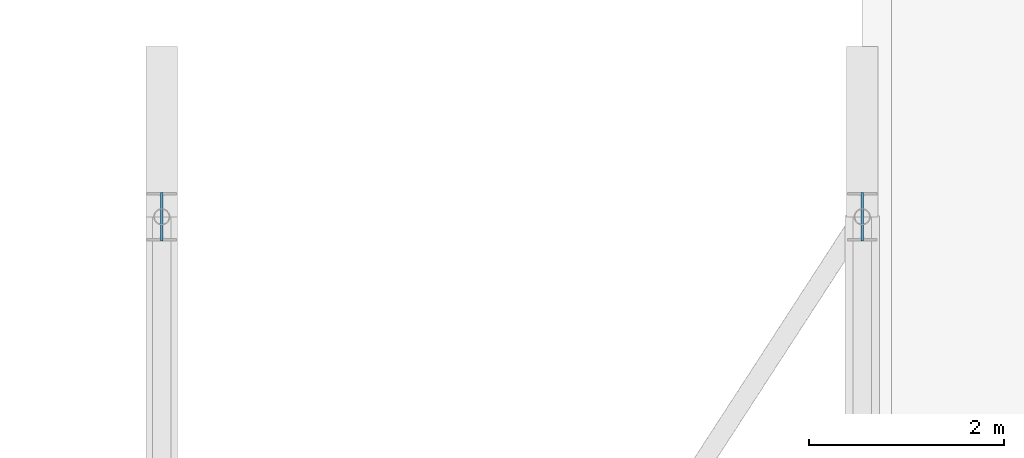
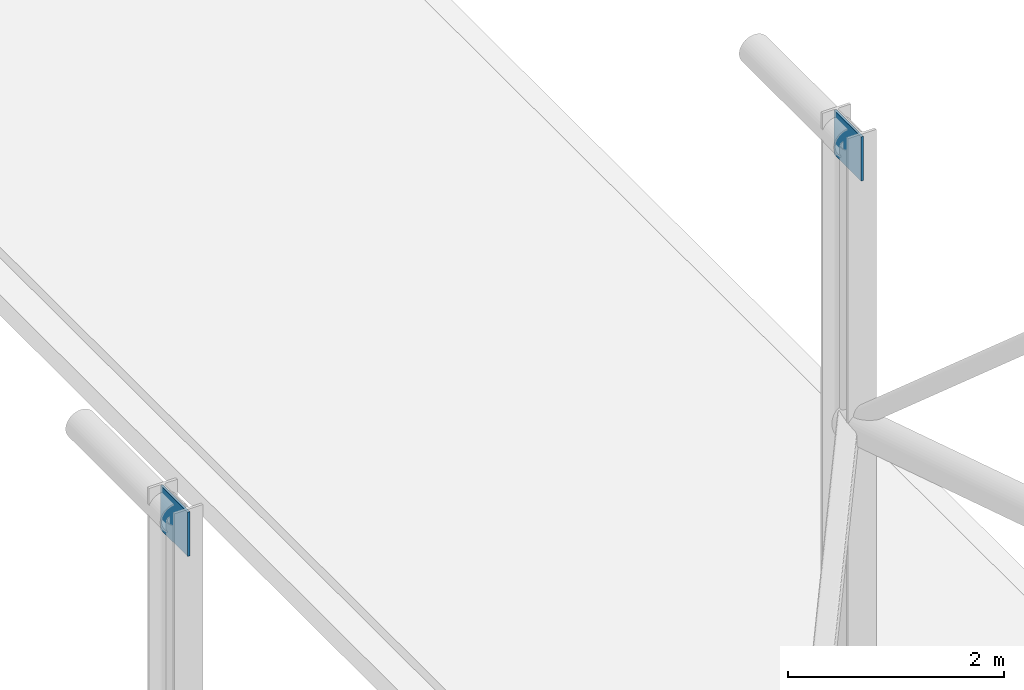
# One storey, part 136 of 153: 2 plates.
"""IFC4 building model written with IfcOpenShell, lengths in metres."""

from ifc_helpers import new_model, si_unit, derived_unit, direction, frame, origin, origin_2d, place, context, subcontext, project, spatial, rectangle, extrude, material, layer, layer_set, type_object, element, save


model = new_model("IFC4")

# Units and contexts
model_context = context("Model", 3, precision=1e-05, world=origin(), true_north=direction((0.0, 1.0)))
body_context = subcontext(model_context, "Body", "Model", "MODEL_VIEW")
ifc_project = project(units=[si_unit("LENGTHUNIT", "METRE"), si_unit("AREAUNIT", "SQUARE_METRE"), si_unit("VOLUMEUNIT", "CUBIC_METRE"), si_unit("PLANEANGLEUNIT", "RADIAN"), si_unit("MASSUNIT", "GRAM", prefix="KILO"), derived_unit("THERMALTRANSMITTANCEUNIT", [(si_unit("POWERUNIT", "WATT"), 1), (si_unit("LENGTHUNIT", "METRE"), -2), (si_unit("THERMODYNAMICTEMPERATUREUNIT", "KELVIN"), -1)])], contexts=[model_context])

# Site, building, storey
site_placement = place(None, origin())
site = spatial("IfcSite", under=ifc_project, at=site_placement, CompositionType="ELEMENT")
building_placement = place(site_placement, origin())
building = spatial("IfcBuilding", under=site, at=building_placement, Name="Keldorne Ridge Multi-Sports Centre", CompositionType="ELEMENT")
storey_placement = place(building_placement, frame((0.0, 0.0, 9.60009765625)))
storey = spatial("IfcBuildingStorey", under=building, at=storey_placement, Name="L02", CompositionType="ELEMENT", Elevation=9.60009765625)

# Plates
ifc_material = material(Name="Steel S355", Category="steel")
ifc_layer = layer(ifc_material, 0.02490234375)
ifc_layer_set = layer_set([ifc_layer], Name="Steel S355")
plate_type = type_object("IfcPlateType", Name="PLT-PL-GS1", PredefinedType="USERDEFINED", material=ifc_layer_set)
for number, where, z_axis, x_axis, name in (
    (1, (70.800048828125, 54.0, 9.25), (0.0, 0.0, 1.0), (1.0, 0.0, 0.0), "Truss node gusset plate TN-030"),
    (2, (78.0, 54.0, 10.969970703125), (0.0, 0.0, 1.0), (1.0, 0.0, 0.0), "Truss node gusset plate TN-033"),
):
    element("IfcPlate", number, at=place(storey_placement, frame(where, z_axis=z_axis, x_axis=x_axis)), inside=storey, type_object=plate_type, Name=name, ObjectType="GUSSET PLATE", PredefinedType="USERDEFINED", context=body_context, shape_type="SweptSolid", body=[
        extrude(rectangle(XDim=0.02490234375, YDim=0.5, at=origin_2d()), origin(), (0.0, 0.0, 1.0), 0.5),
    ])

save(model, "model.ifc")
